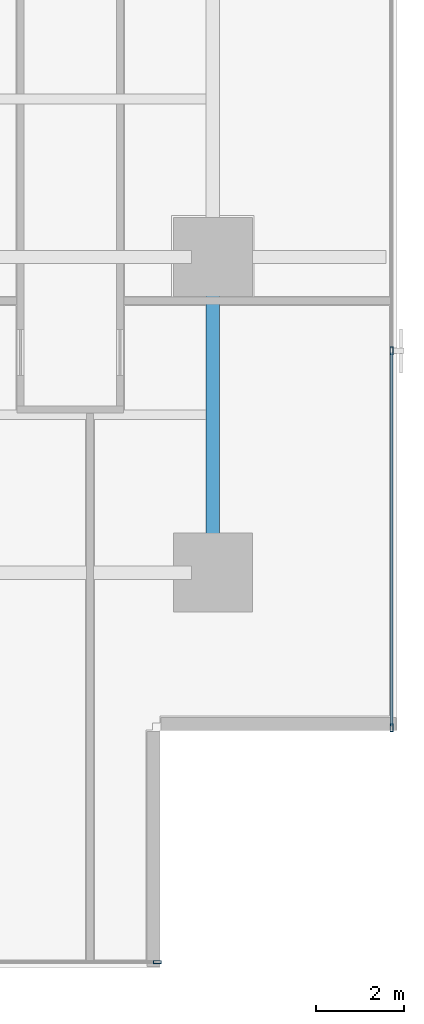
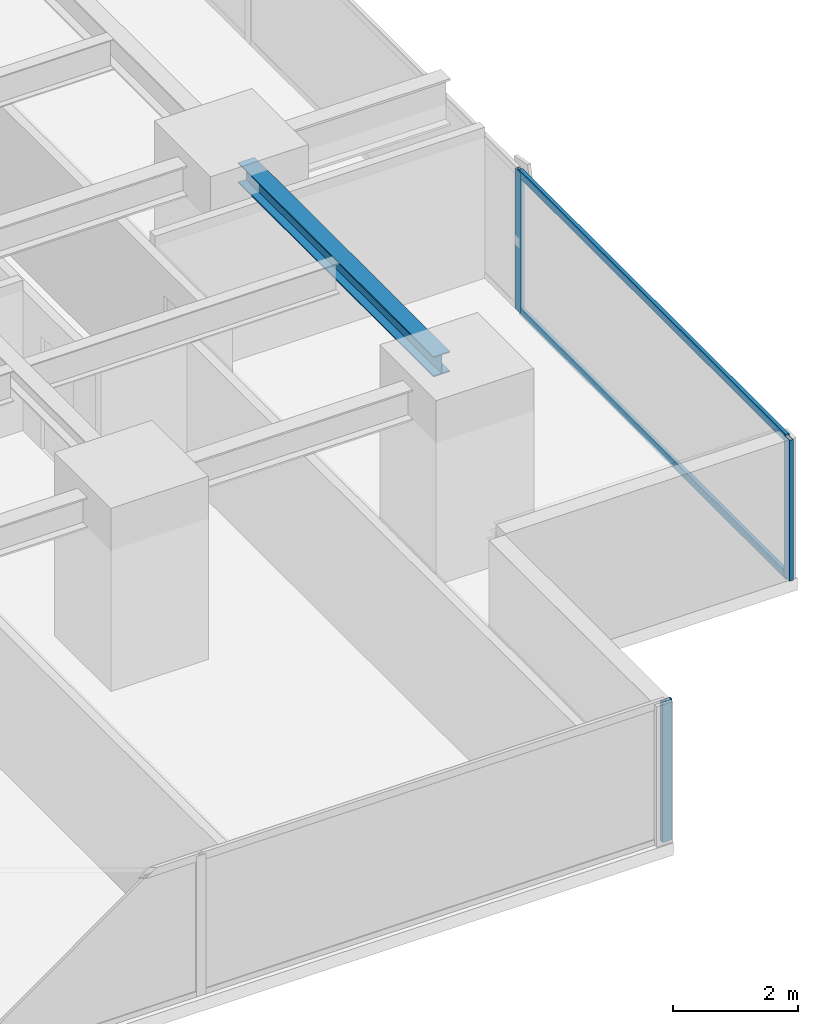
# One storey, part 13 of 33: 5 members, 1 beam, 2 elements without a shape of their own.
"""IFC4 building model written with IfcOpenShell, lengths in metres."""

from ifc_helpers import new_model, si_unit, direction, frame, origin, origin_2d, place, context, subcontext, project, spatial, hollow_rectangle, i_section, extrude, source, transform, mapped, material, layer, layer_set, material_profile, profile_set, type_object, element, aggregate, save


model = new_model("IFC4")

# Units and contexts
model_context = context("Model", 3, precision=1e-05, world=origin(), true_north=direction((0.0, 1.0)))
body_context = subcontext(model_context, "Body", "Model", "MODEL_VIEW")
ifc_project = project(units=[si_unit("LENGTHUNIT", "METRE"), si_unit("AREAUNIT", "SQUARE_METRE"), si_unit("VOLUMEUNIT", "CUBIC_METRE"), si_unit("PLANEANGLEUNIT", "RADIAN"), si_unit("MASSUNIT", "GRAM", prefix="KILO")], contexts=[model_context])

# Site, building, storey
site_placement = place(None, origin())
site = spatial("IfcSite", under=ifc_project, at=site_placement, CompositionType="ELEMENT")
building_placement = place(site_placement, origin())
building = spatial("IfcBuilding", under=site, at=building_placement, Name="Sumidabori Civic Tower", CompositionType="ELEMENT")
storey_placement = place(building_placement, frame((0.0, 0.0, 59.60009765625)))
storey = spatial("IfcBuildingStorey", under=building, at=storey_placement, Name="L15", CompositionType="ELEMENT", Elevation=59.60009765625)

# Beam
ifc_material_1 = material(Name="Steel SN490", Category="steel")
ifc_material_profile_1 = material_profile(ifc_material_1, i_section(OverallWidth=0.300048828125, OverallDepth=0.39990234375, WebThickness=0.013427734375, FlangeThickness=0.02392578125, at=origin_2d()), Name="HE 400 B")
ifc_profile_set_1 = profile_set([ifc_material_profile_1], Name="Steel SN490")
beam_type = type_object("IfcBeamType", Name="BM-GIRD-400", PredefinedType="BEAM", material=ifc_profile_set_1)
shared_shape_1 = source(origin(), body_context, "Body", "SweptSolid", [
    extrude(i_section(OverallWidth=0.300048828125, OverallDepth=0.39990234375, WebThickness=0.013427734375, FlangeThickness=0.02392578125, at=origin_2d()), origin(), (0.0, 0.0, 1.0), 6.239990234375),
])
beam_placement = place(storey_placement, frame((22.800048828125, -17.52001953125, 3.159912109375), z_axis=(0.0, 1.0, 0.0), x_axis=(-1.0, 0.0, 0.0)))
element("IfcBeam", 1, at=beam_placement, inside=storey, type_object=beam_type, Name="Primary Girder L15 GY-39", PredefinedType="BEAM", context=body_context, shape_type="MappedRepresentation", body=[
    mapped(shared_shape_1, transform((0.0, 0.0, 0.0), x_axis=(1.0, 0.0, 0.0), y_axis=(0.0, 1.0, 0.0), z_axis=(0.0, 0.0, 1.0), scale=1.0)),
])

# Curtain wall, member
ifc_material_2 = material(Name="Anodised Bronze Aluminium AW-6063-T6", Category="aluminium")
ifc_layer = layer(ifc_material_2, 0.179931640625, Name="Anodised Bronze Aluminium AW-6063-T6")
ifc_layer_set = layer_set([ifc_layer], Name="Anodised Bronze Aluminium AW-6063-T6")
curtain_wall_type = type_object("IfcCurtainWallType", Name="CW-SYS-2", PredefinedType="NOTDEFINED", material=ifc_layer_set)
curtain_wall_1_placement = place(storey_placement, origin())
curtain_wall_1 = element("IfcCurtainWall", 2, at=curtain_wall_1_placement, inside=storey, type_object=curtain_wall_type, Name="Curtain Wall CW:L15:R01", PredefinedType="NOTDEFINED")
ifc_material_profile_2 = material_profile(ifc_material_2, hollow_rectangle(XDim=0.070068359375, YDim=0.179931640625, WallThickness=0.006103515625, at=origin_2d()), Name="ALU MULLION 180x70")
ifc_profile_set_2 = profile_set([ifc_material_profile_2], Name="Anodised Bronze Aluminium AW-6063-T6")
member_type_1 = type_object("IfcMemberType", Name="CW-MUL-180", PredefinedType="MULLION", material=ifc_profile_set_2)
shared_shape_2 = source(origin(), body_context, "Body", "SweptSolid", [
    extrude(hollow_rectangle(XDim=0.070068359375, YDim=0.179931640625, WallThickness=0.006103515625, at=origin_2d()), origin(), (0.0, 0.0, 1.0), 2.739990234375),
])
member_1_placement = place(storey_placement, frame((21.534912109375, -26.8798828125, 0.0), z_axis=(0.0, 0.0, 1.0), x_axis=(0.0, 1.0, 0.0)))
member_1 = element("IfcMember", 3, at=member_1_placement, type_object=member_type_1, Name="CW-2 mullion 6", PredefinedType="MULLION", context=body_context, shape_type="MappedRepresentation", body=[
    mapped(shared_shape_2, transform((0.0, 0.0, 0.0), x_axis=(1.0, 0.0, 0.0), y_axis=(0.0, 1.0, 0.0), z_axis=(0.0, 0.0, 1.0), scale=1.0)),
])
aggregate(curtain_wall_1, [member_1])

# Curtain wall, members
curtain_wall_2_placement = place(storey_placement, origin())
curtain_wall_2 = element("IfcCurtainWall", 4, at=curtain_wall_2_placement, inside=storey, type_object=curtain_wall_type, Name="Curtain Wall CW:L15:R04", PredefinedType="NOTDEFINED")
member_2_placement = place(storey_placement, frame((26.8798828125, -21.534912109375, 0.0), z_axis=(0.0, 0.0, 1.0), x_axis=(-1.0, 0.0, 0.0)))
member_2 = element("IfcMember", 5, at=member_2_placement, type_object=member_type_1, Name="CW-2 mullion 1", PredefinedType="MULLION", context=body_context, shape_type="MappedRepresentation", body=[
    mapped(shared_shape_2, transform((0.0, 0.0, 0.0), x_axis=(1.0, 0.0, 0.0), y_axis=(0.0, 1.0, 0.0), z_axis=(0.0, 0.0, 1.0), scale=1.0)),
])
member_3_placement = place(storey_placement, frame((26.8798828125, -12.94189453125, 0.0), z_axis=(0.0, 0.0, 1.0), x_axis=(-1.0, 0.0, 0.0)))
member_3 = element("IfcMember", 6, at=member_3_placement, type_object=member_type_1, Name="CW-2 mullion 2", PredefinedType="MULLION", context=body_context, shape_type="MappedRepresentation", body=[
    mapped(shared_shape_2, transform((0.0, 0.0, 0.0), x_axis=(1.0, 0.0, 0.0), y_axis=(0.0, 1.0, 0.0), z_axis=(0.0, 0.0, 1.0), scale=1.0)),
])
ifc_material_profile_3 = material_profile(ifc_material_2, hollow_rectangle(XDim=0.06494140625, YDim=0.14990234375, WallThickness=0.0048828125, at=origin_2d()), Name="ALU TRANSOM 150x65")
ifc_profile_set_3 = profile_set([ifc_material_profile_3], Name="Anodised Bronze Aluminium AW-6063-T6")
member_type_2 = type_object("IfcMemberType", Name="CW-TRN-150", PredefinedType="USERDEFINED", material=ifc_profile_set_3)
shared_shape_3 = source(origin(), body_context, "Body", "SweptSolid", [
    extrude(hollow_rectangle(XDim=0.06494140625, YDim=0.14990234375, WallThickness=0.0048828125, at=origin_2d()), origin(), (0.0, 0.0, 1.0), 8.52294921875),
])
member_4_placement = place(storey_placement, frame((26.8798828125, -21.5, 0.032470703125), z_axis=(0.0, 1.0, 0.0), x_axis=(-1.0, 0.0, 0.0)))
member_4 = element("IfcMember", 7, at=member_4_placement, type_object=member_type_2, Name="CW-2 transom 1.1", ObjectType="TRANSOM", PredefinedType="USERDEFINED", context=body_context, shape_type="MappedRepresentation", body=[
    mapped(shared_shape_3, transform((0.0, 0.0, 0.0), x_axis=(1.0, 0.0, 0.0), y_axis=(0.0, 1.0, 0.0), z_axis=(0.0, 0.0, 1.0), scale=1.0)),
])
member_5_placement = place(storey_placement, frame((26.8798828125, -21.5, 2.70751953125), z_axis=(0.0, 1.0, 0.0), x_axis=(-1.0, 0.0, 0.0)))
member_5 = element("IfcMember", 8, at=member_5_placement, type_object=member_type_2, Name="CW-2 transom 1.2", ObjectType="TRANSOM", PredefinedType="USERDEFINED", context=body_context, shape_type="MappedRepresentation", body=[
    mapped(shared_shape_3, transform((0.0, 0.0, 0.0), x_axis=(1.0, 0.0, 0.0), y_axis=(0.0, 1.0, 0.0), z_axis=(0.0, 0.0, 1.0), scale=1.0)),
])
aggregate(curtain_wall_2, [member_2, member_3, member_4, member_5])

save(model, "model.ifc")
